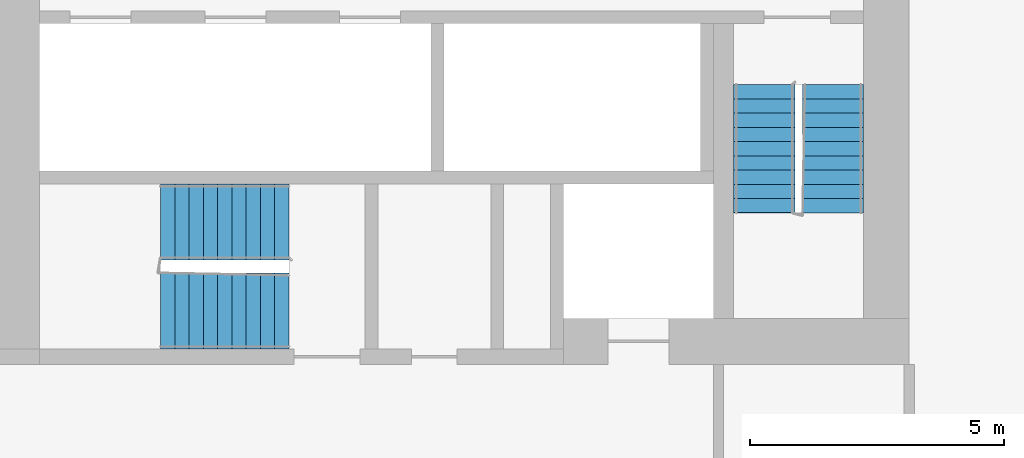
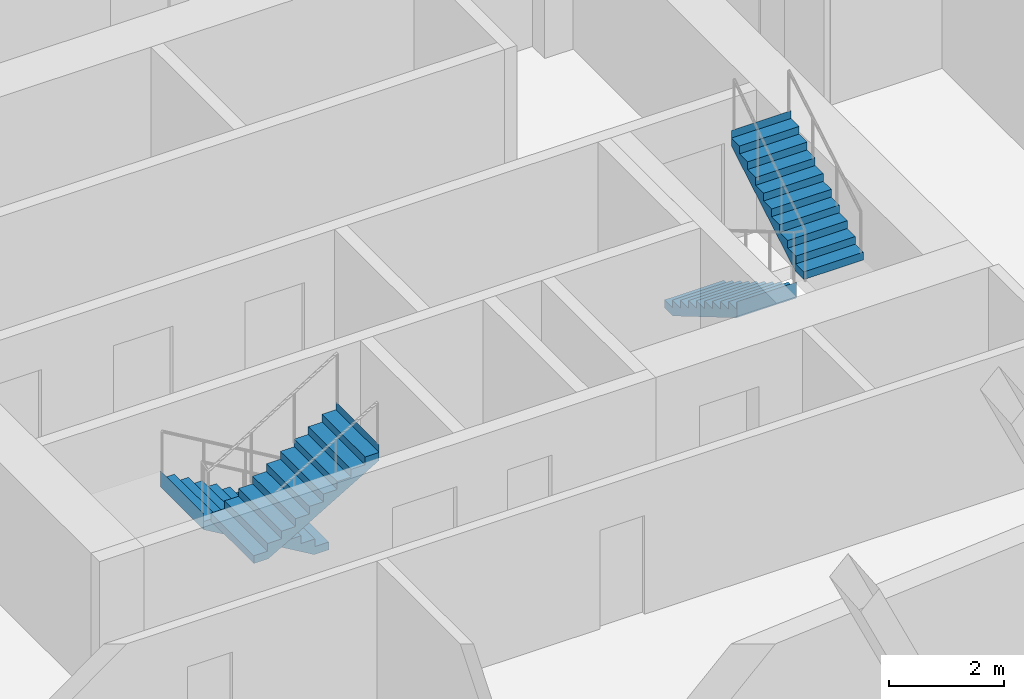
# One storey, part 9 of 13: 4 stair flights, 2 elements without a shape of their own.
"""IFC4 building model written with IfcOpenShell, lengths in metres."""

import ifcopenshell
import ifcopenshell.guid

model = None  # the IFC model being written
_history = None  # IfcOwnerHistory: only IFC2X3 demands one
_inside = {}  # id of a spatial element -> (the spatial element, [elements in it])
_under = {}  # id of a project, library or spatial element -> (it, [spatial elements below it])
_declared = {}  # id of a project -> (the project, [libraries it declares])
_typed = {}  # id of a type object -> (the type object, [elements of that type])
_made_of = {}  # id of a material, layer set ... -> (it, [elements and type objects made of it])


def new_model(schema):
    """Start an empty IFC model of exactly this schema.

    Asked for "IFC4X3", IfcOpenShell would pick the latest addendum, in which some entities
    have other attributes; the version numbers below select the first issue.
    IFC2X3 requires an IfcOwnerHistory on every rooted entity: one is made here for all.
    """
    global model, _history
    if schema == "IFC4X3":
        model = ifcopenshell.file(schema_version=(4, 3, 0, 0))
    else:
        model = ifcopenshell.file(schema=schema)
    _inside.clear()
    _under.clear()
    _declared.clear()
    _typed.clear()
    _made_of.clear()
    _history = None
    if model.schema == "IFC2X3":
        org = make("IfcOrganization", Name="unknown")
        user = make(
            "IfcPersonAndOrganization",
            ThePerson=make("IfcPerson", FamilyName="unknown"),
            TheOrganization=org,
        )
        app = make(
            "IfcApplication",
            ApplicationDeveloper=org,
            Version="unknown",
            ApplicationFullName="unknown",
            ApplicationIdentifier="unknown",
        )
        _history = make(
            "IfcOwnerHistory",
            OwningUser=user,
            OwningApplication=app,
            ChangeAction="ADDED",
            CreationDate=0,
        )
    return model


def make(cls, **values):
    """One entity of the class cls with the attributes given. An attribute that is None is left unset."""
    return model.create_entity(
        cls, **{name: value for name, value in values.items() if value is not None}
    )


def rooted(cls, **values):
    """An entity with a GlobalId (a new one), such as an element, a storey or a relation."""
    return make(cls, GlobalId=ifcopenshell.guid.new(), OwnerHistory=_history, **values)


def si_unit(unit_type, name, prefix=None):
    """IfcSIUnit, for example si_unit("LENGTHUNIT", "METRE", prefix="MILLI")."""
    return make("IfcSIUnit", UnitType=unit_type, Prefix=prefix, Name=name)


def assignment(units):
    """IfcUnitAssignment: the units of a project."""
    return None if units is None else make("IfcUnitAssignment", Units=units)


def point(xyz):
    """IfcCartesianPoint."""
    return None if xyz is None else make("IfcCartesianPoint", Coordinates=xyz)


def direction(xyz):
    """IfcDirection."""
    return None if xyz is None else make("IfcDirection", DirectionRatios=xyz)


def frame(location, z_axis=None, x_axis=None):
    """IfcAxis2Placement3D, a coordinate frame: its origin and axes. An axis left out is left unset."""
    return make(
        "IfcAxis2Placement3D",
        Location=point(location),
        Axis=direction(z_axis),
        RefDirection=direction(x_axis),
    )


def origin():
    """The frame at (0, 0, 0) with its axes left unset."""
    return frame((0.0, 0.0, 0.0))


def place(relative_to, where):
    """IfcLocalPlacement: puts the frame where relative to a parent placement (None: the world)."""
    return make(
        "IfcLocalPlacement", PlacementRelTo=relative_to, RelativePlacement=where
    )


def context(
    kind, dimensions, precision=None, world=None, true_north=None, identifier=None
):
    """IfcGeometricRepresentationContext, for example the 3D "Model" context."""
    return make(
        "IfcGeometricRepresentationContext",
        ContextIdentifier=identifier,
        ContextType=kind,
        CoordinateSpaceDimension=dimensions,
        Precision=precision,
        WorldCoordinateSystem=world,
        TrueNorth=true_north,
    )


def subcontext(parent, identifier, kind, view, scale=None):
    """IfcGeometricRepresentationSubContext, for example "Body" below "Model"."""
    return make(
        "IfcGeometricRepresentationSubContext",
        ContextIdentifier=identifier,
        ContextType=kind,
        ParentContext=parent,
        TargetScale=scale,
        TargetView=view,
    )


def project(units=None, contexts=None):
    """IfcProject with its units and contexts."""
    return rooted(
        "IfcProject",
        Name="project",
        RepresentationContexts=contexts,
        UnitsInContext=assignment(units),
    )


def spatial(cls, under=None, at=None, **own):
    """A site, building, storey or space (cls), placed at a placement, below another one or the project."""
    s = rooted(cls, ObjectPlacement=at, **own)
    if under is not None:
        _under.setdefault(under.id(), (under, []))[1].append(s)
    return s


def faces_of(points, faces, orient=None, outer=None):
    """IfcFace entities. A face is a list of loops; a loop is a list of indices into points, from 0.

    orient and outer hold one flag for each loop. By default every Orientation is true, the
    first loop of a face is its IfcFaceOuterBound and the others are IfcFaceBound.
    """
    made = []
    for i, loops in enumerate(faces):
        bounds = []
        for j, loop in enumerate(loops):
            is_outer = j == 0 if outer is None else outer[i][j]
            bounds.append(
                make(
                    "IfcFaceOuterBound" if is_outer else "IfcFaceBound",
                    Bound=make("IfcPolyLoop", Polygon=[points[k] for k in loop]),
                    Orientation=True if orient is None else orient[i][j],
                )
            )
        made.append(make("IfcFace", Bounds=bounds))
    return made


def faceted_brep(points, faces, orient=None, outer=None, voids=None):
    """IfcFacetedBrep: a solid bounded by flat faces; with voids (closed shells), ...WithVoids."""
    shared = [point(p) for p in points]
    hull = make("IfcClosedShell", CfsFaces=faces_of(shared, faces, orient, outer))
    if voids is None:
        return make("IfcFacetedBrep", Outer=hull)
    return make(
        "IfcFacetedBrepWithVoids",
        Outer=hull,
        Voids=[
            make(cls, CfsFaces=faces_of(shared, fs, o, b)) for cls, fs, o, b in voids
        ],
    )


def shape(context_of_items, identifier, shape_type, items):
    """IfcShapeRepresentation: the items that make up one representation, for example the "Body"."""
    return make(
        "IfcShapeRepresentation",
        ContextOfItems=context_of_items,
        RepresentationIdentifier=identifier,
        RepresentationType=shape_type,
        Items=items,
    )


def material(Name=None, Category=None):
    """IfcMaterial."""
    return make("IfcMaterial", Name=Name, Category=Category)


def made_of(thing, what):
    """Note that an element or type object is made of a material, layer set ...; save() writes the relation."""
    if what is not None:
        _made_of.setdefault(what.id(), (what, []))[1].append(thing)
    return thing


def type_object(cls, material=None, **own):
    """A type object (cls), such as IfcWallType, which elements share."""
    return made_of(rooted(cls, **own), material)


def element(
    cls,
    number,
    at=None,
    inside=None,
    cuts=None,
    type_object=None,
    material=None,
    context=None,
    identifier="Body",
    shape_type=None,
    held_by="IfcProductDefinitionShape",
    body=None,
    shapes=None,
    **own,
):
    """One element of the class cls, such as IfcWall. Its Tag is "e" and its number.

    at: its placement. inside: the storey or other place that contains it. cuts: it is an
    opening in that element (IfcRelVoidsElement). A single representation is given by context,
    identifier, shape_type and body (its items); several are given by shapes. held_by: the class
    of the entity that holds the representations. save() writes the other relations.
    """
    e = rooted(cls, Tag="e%d" % number, ObjectPlacement=at, **own)
    if body is not None:
        shapes = [shape(context, identifier, shape_type, body)]
    if shapes is not None:
        e.Representation = make(held_by, Representations=shapes)
    if inside is not None:
        _inside.setdefault(inside.id(), (inside, []))[1].append(e)
    if cuts is not None:
        rooted(
            "IfcRelVoidsElement", RelatingBuildingElement=cuts, RelatedOpeningElement=e
        )
    if type_object is not None:
        _typed.setdefault(type_object.id(), (type_object, []))[1].append(e)
    return made_of(e, material)


def aggregate(whole, parts):
    """IfcRelAggregates: a whole, such as a stair, and the parts it consists of."""
    return rooted("IfcRelAggregates", RelatingObject=whole, RelatedObjects=parts)


def save(model, path):
    """Write the relations noted so far, then the file.

    IfcRelAggregates (storeys below a building ...), IfcRelContainedInSpatialStructure (elements
    in a storey), IfcRelDefinesByType, IfcRelAssociatesMaterial and IfcRelDeclares: one each for
    every whole, place, type object, material and project.
    """
    for whole, parts in _under.values():
        aggregate(whole, parts)
    for where, things in _inside.values():
        rooted(
            "IfcRelContainedInSpatialStructure",
            RelatedElements=things,
            RelatingStructure=where,
        )
    for kind, things in _typed.values():
        rooted("IfcRelDefinesByType", RelatedObjects=things, RelatingType=kind)
    for what, things in _made_of.values():
        rooted("IfcRelAssociatesMaterial", RelatedObjects=things, RelatingMaterial=what)
    for by, libraries in _declared.values():
        rooted("IfcRelDeclares", RelatingContext=by, RelatedDefinitions=libraries)
    model.write(path)


model = new_model("IFC4")

# Units and contexts
model_context = context("Model", 3, precision=1e-05, world=origin(), true_north=direction((0.0, 1.0)))
body_context = subcontext(model_context, "Body", "Model", "MODEL_VIEW")
ifc_project = project(units=[si_unit("LENGTHUNIT", "METRE"), si_unit("AREAUNIT", "SQUARE_METRE"), si_unit("VOLUMEUNIT", "CUBIC_METRE"), si_unit("PLANEANGLEUNIT", "RADIAN"), si_unit("MASSUNIT", "GRAM", prefix="KILO")], contexts=[model_context])

# Site, building, storey
site_placement = place(None, origin())
site = spatial("IfcSite", under=ifc_project, at=site_placement, CompositionType="ELEMENT")
building_placement = place(site_placement, origin())
building = spatial("IfcBuilding", under=site, at=building_placement, Name="Kajstack Hotel Tower", CompositionType="ELEMENT")
storey_placement = place(building_placement, frame((0.0, 0.0, 110.800048828125)))
storey = spatial("IfcBuildingStorey", under=building, at=storey_placement, Name="L23", CompositionType="ELEMENT", Elevation=110.800048828125)

# Stair, stair flights
ifc_material = material(Name="Concrete C40/50", Category="concrete")
stair_type_1 = type_object("IfcStairType", Name="Exit stair 1200", PredefinedType="HALF_TURN_STAIR", material=ifc_material)
stair_1_placement = place(storey_placement, origin())
stair_1 = element("IfcStair", 1, at=stair_1_placement, inside=storey, type_object=stair_type_1, Name="L23 stair W2", PredefinedType="HALF_TURN_STAIR")
stair_flight_type_1 = type_object("IfcStairFlightType", Name="Exit stair flight 1200", PredefinedType="STRAIGHT", material=ifc_material)
stair_flight_1_placement = place(storey_placement, frame((-16.35009765625, -10.0, 0.0), z_axis=(0.0, 0.0, 1.0), x_axis=(0.0, -1.0, 0.0)))
stair_flight_1 = element("IfcStairFlight", 2, at=stair_flight_1_placement, type_object=stair_flight_type_1, Name="W2 flight 1", NumberOfRisers=10, NumberOfTreads=9, PredefinedType="STRAIGHT", RiserHeight=0.165, TreadLength=0.28, context=body_context, shape_type="Brep", body=[
    faceted_brep([(0.295654296875, -0.60009765625, 0.0), (2.5205078125, -0.60009765625, 1.31103515625), (2.5205078125, -0.60009765625, 1.64990234375), (2.52001953125, -0.60009765625, 1.64990234375), (2.52001953125, -0.60009765625, 1.485107421875), (2.239990234375, -0.60009765625, 1.485107421875), (2.239990234375, -0.60009765625, 1.320068359375), (1.9599609375, -0.60009765625, 1.320068359375), (1.9599609375, -0.60009765625, 1.155029296875), (1.679931640625, -0.60009765625, 1.155029296875), (1.679931640625, -0.60009765625, 0.989990234375), (1.39990234375, -0.60009765625, 0.989990234375), (1.39990234375, -0.60009765625, 0.824951171875), (1.1201171875, -0.60009765625, 0.824951171875), (1.1201171875, -0.60009765625, 0.659912109375), (0.840087890625, -0.60009765625, 0.659912109375), (0.840087890625, -0.60009765625, 0.4951171875), (0.56005859375, -0.60009765625, 0.4951171875), (0.56005859375, -0.60009765625, 0.330078125), (0.280029296875, -0.60009765625, 0.330078125), (0.280029296875, -0.60009765625, 0.1650390625), (-0.00048828125, -0.60009765625, 0.1650390625), (-0.00048828125, -0.60009765625, 0.0), (-0.00048828125, 0.60009765625, 0.0), (-0.00048828125, 0.60009765625, 0.1650390625), (0.280029296875, 0.60009765625, 0.1650390625), (0.280029296875, 0.60009765625, 0.330078125), (0.56005859375, 0.60009765625, 0.330078125), (0.56005859375, 0.60009765625, 0.4951171875), (0.840087890625, 0.60009765625, 0.4951171875), (0.840087890625, 0.60009765625, 0.659912109375), (1.1201171875, 0.60009765625, 0.659912109375), (1.1201171875, 0.60009765625, 0.824951171875), (1.39990234375, 0.60009765625, 0.824951171875), (1.39990234375, 0.60009765625, 0.989990234375), (1.679931640625, 0.60009765625, 0.989990234375), (1.679931640625, 0.60009765625, 1.155029296875), (1.9599609375, 0.60009765625, 1.155029296875), (1.9599609375, 0.60009765625, 1.320068359375), (2.239990234375, 0.60009765625, 1.320068359375), (2.239990234375, 0.60009765625, 1.485107421875), (2.52001953125, 0.60009765625, 1.485107421875), (2.52001953125, 0.60009765625, 1.64990234375), (2.5205078125, 0.60009765625, 1.64990234375), (2.5205078125, 0.60009765625, 1.31103515625), (0.295654296875, 0.60009765625, 0.0), (-0.00048828125, -0.300048828125, 0.1650390625), (-0.00048828125, 0.0, 0.1650390625), (-0.00048828125, 0.300048828125, 0.1650390625), (-0.00048828125, 0.300048828125, 0.0), (-0.00048828125, 0.0, 0.0), (-0.00048828125, -0.300048828125, 0.0), (0.280029296875, -0.300048828125, 0.1650390625), (0.280029296875, 0.0, 0.1650390625), (0.280029296875, 0.300048828125, 0.1650390625), (0.280029296875, -0.300048828125, 0.330078125), (0.280029296875, 0.0, 0.330078125), (0.280029296875, 0.300048828125, 0.330078125), (0.56005859375, -0.300048828125, 0.330078125), (0.56005859375, 0.0, 0.330078125), (0.56005859375, 0.300048828125, 0.330078125), (0.56005859375, -0.300048828125, 0.4951171875), (0.56005859375, 0.0, 0.4951171875), (0.56005859375, 0.300048828125, 0.4951171875), (0.840087890625, -0.300048828125, 0.4951171875), (0.840087890625, 0.0, 0.4951171875), (0.840087890625, 0.300048828125, 0.4951171875), (0.840087890625, -0.300048828125, 0.659912109375), (0.840087890625, 0.0, 0.659912109375), (0.840087890625, 0.300048828125, 0.659912109375), (1.1201171875, -0.300048828125, 0.659912109375), (1.1201171875, 0.0, 0.659912109375), (1.1201171875, 0.300048828125, 0.659912109375), (1.1201171875, -0.300048828125, 0.824951171875), (1.1201171875, 0.0, 0.824951171875), (1.1201171875, 0.300048828125, 0.824951171875), (1.39990234375, -0.300048828125, 0.824951171875), (1.39990234375, 0.0, 0.824951171875), (1.39990234375, 0.300048828125, 0.824951171875), (1.39990234375, -0.300048828125, 0.989990234375), (1.39990234375, 0.0, 0.989990234375), (1.39990234375, 0.300048828125, 0.989990234375), (1.679931640625, -0.300048828125, 0.989990234375), (1.679931640625, 0.0, 0.989990234375), (1.679931640625, 0.300048828125, 0.989990234375), (1.679931640625, -0.300048828125, 1.155029296875), (1.679931640625, 0.0, 1.155029296875), (1.679931640625, 0.300048828125, 1.155029296875), (1.9599609375, -0.300048828125, 1.155029296875), (1.9599609375, 0.0, 1.155029296875), (1.9599609375, 0.300048828125, 1.155029296875), (1.9599609375, -0.300048828125, 1.320068359375), (1.9599609375, 0.0, 1.320068359375), (1.9599609375, 0.300048828125, 1.320068359375), (2.239990234375, -0.300048828125, 1.320068359375), (2.239990234375, 0.0, 1.320068359375), (2.239990234375, 0.300048828125, 1.320068359375), (2.239990234375, -0.300048828125, 1.485107421875), (2.239990234375, 0.0, 1.485107421875), (2.239990234375, 0.300048828125, 1.485107421875), (2.52001953125, -0.300048828125, 1.485107421875), (2.52001953125, 0.0, 1.485107421875), (2.52001953125, 0.300048828125, 1.485107421875), (2.52001953125, -0.300048828125, 1.64990234375), (2.52001953125, 0.0, 1.64990234375), (2.52001953125, 0.300048828125, 1.64990234375), (2.5205078125, -0.300048828125, 1.64990234375), (2.5205078125, 0.0, 1.64990234375), (2.5205078125, 0.300048828125, 1.64990234375), (2.5205078125, -0.300048828125, 1.31103515625), (2.5205078125, 0.0, 1.31103515625), (2.5205078125, 0.300048828125, 1.31103515625), (0.295654296875, -0.300048828125, 0.0), (0.295654296875, 0.0, 0.0), (0.295654296875, 0.300048828125, 0.0)], [[[0, 1, 2, 3, 4, 5, 6, 7, 8, 9, 10, 11, 12, 13, 14, 15, 16, 17, 18, 19, 20, 21, 22]], [[23, 24, 25, 26, 27, 28, 29, 30, 31, 32, 33, 34, 35, 36, 37, 38, 39, 40, 41, 42, 43, 44, 45]], [[21, 46, 47, 48, 24, 23, 49, 50, 51, 22]], [[20, 52, 53, 54, 25, 24, 48, 47, 46, 21]], [[19, 55, 56, 57, 26, 25, 54, 53, 52, 20]], [[18, 58, 59, 60, 27, 26, 57, 56, 55, 19]], [[17, 61, 62, 63, 28, 27, 60, 59, 58, 18]], [[16, 64, 65, 66, 29, 28, 63, 62, 61, 17]], [[15, 67, 68, 69, 30, 29, 66, 65, 64, 16]], [[14, 70, 71, 72, 31, 30, 69, 68, 67, 15]], [[13, 73, 74, 75, 32, 31, 72, 71, 70, 14]], [[12, 76, 77, 78, 33, 32, 75, 74, 73, 13]], [[11, 79, 80, 81, 34, 33, 78, 77, 76, 12]], [[10, 82, 83, 84, 35, 34, 81, 80, 79, 11]], [[9, 85, 86, 87, 36, 35, 84, 83, 82, 10]], [[8, 88, 89, 90, 37, 36, 87, 86, 85, 9]], [[7, 91, 92, 93, 38, 37, 90, 89, 88, 8]], [[6, 94, 95, 96, 39, 38, 93, 92, 91, 7]], [[5, 97, 98, 99, 40, 39, 96, 95, 94, 6]], [[4, 100, 101, 102, 41, 40, 99, 98, 97, 5]], [[3, 103, 104, 105, 42, 41, 102, 101, 100, 4]], [[2, 106, 107, 108, 43, 42, 105, 104, 103, 3]], [[1, 109, 110, 111, 44, 43, 108, 107, 106, 2]], [[0, 112, 113, 114, 45, 44, 111, 110, 109, 1]], [[22, 51, 50, 49, 23, 45, 114, 113, 112, 0]]]),
])
stair_flight_2_placement = place(storey_placement, frame((-15.0, -12.52001953125, 1.64990234375), z_axis=(0.0, 0.0, 1.0), x_axis=(0.0, 1.0, 0.0)))
stair_flight_2 = element("IfcStairFlight", 3, at=stair_flight_2_placement, type_object=stair_flight_type_1, Name="W2 flight 2", NumberOfRisers=10, NumberOfTreads=9, PredefinedType="STRAIGHT", RiserHeight=0.165, TreadLength=0.28, context=body_context, shape_type="Brep", body=[
    faceted_brep([(0.295654296875, -0.60009765625, 0.0), (2.5205078125, -0.60009765625, 1.31103515625), (2.5205078125, -0.60009765625, 1.64990234375), (2.52001953125, -0.60009765625, 1.64990234375), (2.52001953125, -0.60009765625, 1.485107421875), (2.239990234375, -0.60009765625, 1.485107421875), (2.239990234375, -0.60009765625, 1.320068359375), (1.9599609375, -0.60009765625, 1.320068359375), (1.9599609375, -0.60009765625, 1.155029296875), (1.679931640625, -0.60009765625, 1.155029296875), (1.679931640625, -0.60009765625, 0.989990234375), (1.39990234375, -0.60009765625, 0.989990234375), (1.39990234375, -0.60009765625, 0.824951171875), (1.1201171875, -0.60009765625, 0.824951171875), (1.1201171875, -0.60009765625, 0.659912109375), (0.840087890625, -0.60009765625, 0.659912109375), (0.840087890625, -0.60009765625, 0.4951171875), (0.56005859375, -0.60009765625, 0.4951171875), (0.56005859375, -0.60009765625, 0.330078125), (0.280029296875, -0.60009765625, 0.330078125), (0.280029296875, -0.60009765625, 0.1650390625), (-0.00048828125, -0.60009765625, 0.1650390625), (-0.00048828125, -0.60009765625, 0.0), (-0.00048828125, 0.60009765625, 0.0), (-0.00048828125, 0.60009765625, 0.1650390625), (0.280029296875, 0.60009765625, 0.1650390625), (0.280029296875, 0.60009765625, 0.330078125), (0.56005859375, 0.60009765625, 0.330078125), (0.56005859375, 0.60009765625, 0.4951171875), (0.840087890625, 0.60009765625, 0.4951171875), (0.840087890625, 0.60009765625, 0.659912109375), (1.1201171875, 0.60009765625, 0.659912109375), (1.1201171875, 0.60009765625, 0.824951171875), (1.39990234375, 0.60009765625, 0.824951171875), (1.39990234375, 0.60009765625, 0.989990234375), (1.679931640625, 0.60009765625, 0.989990234375), (1.679931640625, 0.60009765625, 1.155029296875), (1.9599609375, 0.60009765625, 1.155029296875), (1.9599609375, 0.60009765625, 1.320068359375), (2.239990234375, 0.60009765625, 1.320068359375), (2.239990234375, 0.60009765625, 1.485107421875), (2.52001953125, 0.60009765625, 1.485107421875), (2.52001953125, 0.60009765625, 1.64990234375), (2.5205078125, 0.60009765625, 1.64990234375), (2.5205078125, 0.60009765625, 1.31103515625), (0.295654296875, 0.60009765625, 0.0), (-0.00048828125, -0.300048828125, 0.1650390625), (-0.00048828125, 0.0, 0.1650390625), (-0.00048828125, 0.300048828125, 0.1650390625), (-0.00048828125, 0.300048828125, 0.0), (-0.00048828125, 0.0, 0.0), (-0.00048828125, -0.300048828125, 0.0), (0.280029296875, -0.300048828125, 0.1650390625), (0.280029296875, 0.0, 0.1650390625), (0.280029296875, 0.300048828125, 0.1650390625), (0.280029296875, -0.300048828125, 0.330078125), (0.280029296875, 0.0, 0.330078125), (0.280029296875, 0.300048828125, 0.330078125), (0.56005859375, -0.300048828125, 0.330078125), (0.56005859375, 0.0, 0.330078125), (0.56005859375, 0.300048828125, 0.330078125), (0.56005859375, -0.300048828125, 0.4951171875), (0.56005859375, 0.0, 0.4951171875), (0.56005859375, 0.300048828125, 0.4951171875), (0.840087890625, -0.300048828125, 0.4951171875), (0.840087890625, 0.0, 0.4951171875), (0.840087890625, 0.300048828125, 0.4951171875), (0.840087890625, -0.300048828125, 0.659912109375), (0.840087890625, 0.0, 0.659912109375), (0.840087890625, 0.300048828125, 0.659912109375), (1.1201171875, -0.300048828125, 0.659912109375), (1.1201171875, 0.0, 0.659912109375), (1.1201171875, 0.300048828125, 0.659912109375), (1.1201171875, -0.300048828125, 0.824951171875), (1.1201171875, 0.0, 0.824951171875), (1.1201171875, 0.300048828125, 0.824951171875), (1.39990234375, -0.300048828125, 0.824951171875), (1.39990234375, 0.0, 0.824951171875), (1.39990234375, 0.300048828125, 0.824951171875), (1.39990234375, -0.300048828125, 0.989990234375), (1.39990234375, 0.0, 0.989990234375), (1.39990234375, 0.300048828125, 0.989990234375), (1.679931640625, -0.300048828125, 0.989990234375), (1.679931640625, 0.0, 0.989990234375), (1.679931640625, 0.300048828125, 0.989990234375), (1.679931640625, -0.300048828125, 1.155029296875), (1.679931640625, 0.0, 1.155029296875), (1.679931640625, 0.300048828125, 1.155029296875), (1.9599609375, -0.300048828125, 1.155029296875), (1.9599609375, 0.0, 1.155029296875), (1.9599609375, 0.300048828125, 1.155029296875), (1.9599609375, -0.300048828125, 1.320068359375), (1.9599609375, 0.0, 1.320068359375), (1.9599609375, 0.300048828125, 1.320068359375), (2.239990234375, -0.300048828125, 1.320068359375), (2.239990234375, 0.0, 1.320068359375), (2.239990234375, 0.300048828125, 1.320068359375), (2.239990234375, -0.300048828125, 1.485107421875), (2.239990234375, 0.0, 1.485107421875), (2.239990234375, 0.300048828125, 1.485107421875), (2.52001953125, -0.300048828125, 1.485107421875), (2.52001953125, 0.0, 1.485107421875), (2.52001953125, 0.300048828125, 1.485107421875), (2.52001953125, -0.300048828125, 1.64990234375), (2.52001953125, 0.0, 1.64990234375), (2.52001953125, 0.300048828125, 1.64990234375), (2.5205078125, -0.300048828125, 1.64990234375), (2.5205078125, 0.0, 1.64990234375), (2.5205078125, 0.300048828125, 1.64990234375), (2.5205078125, -0.300048828125, 1.31103515625), (2.5205078125, 0.0, 1.31103515625), (2.5205078125, 0.300048828125, 1.31103515625), (0.295654296875, -0.300048828125, 0.0), (0.295654296875, 0.0, 0.0), (0.295654296875, 0.300048828125, 0.0)], [[[0, 1, 2, 3, 4, 5, 6, 7, 8, 9, 10, 11, 12, 13, 14, 15, 16, 17, 18, 19, 20, 21, 22]], [[23, 24, 25, 26, 27, 28, 29, 30, 31, 32, 33, 34, 35, 36, 37, 38, 39, 40, 41, 42, 43, 44, 45]], [[21, 46, 47, 48, 24, 23, 49, 50, 51, 22]], [[20, 52, 53, 54, 25, 24, 48, 47, 46, 21]], [[19, 55, 56, 57, 26, 25, 54, 53, 52, 20]], [[18, 58, 59, 60, 27, 26, 57, 56, 55, 19]], [[17, 61, 62, 63, 28, 27, 60, 59, 58, 18]], [[16, 64, 65, 66, 29, 28, 63, 62, 61, 17]], [[15, 67, 68, 69, 30, 29, 66, 65, 64, 16]], [[14, 70, 71, 72, 31, 30, 69, 68, 67, 15]], [[13, 73, 74, 75, 32, 31, 72, 71, 70, 14]], [[12, 76, 77, 78, 33, 32, 75, 74, 73, 13]], [[11, 79, 80, 81, 34, 33, 78, 77, 76, 12]], [[10, 82, 83, 84, 35, 34, 81, 80, 79, 11]], [[9, 85, 86, 87, 36, 35, 84, 83, 82, 10]], [[8, 88, 89, 90, 37, 36, 87, 86, 85, 9]], [[7, 91, 92, 93, 38, 37, 90, 89, 88, 8]], [[6, 94, 95, 96, 39, 38, 93, 92, 91, 7]], [[5, 97, 98, 99, 40, 39, 96, 95, 94, 6]], [[4, 100, 101, 102, 41, 40, 99, 98, 97, 5]], [[3, 103, 104, 105, 42, 41, 102, 101, 100, 4]], [[2, 106, 107, 108, 43, 42, 105, 104, 103, 3]], [[1, 109, 110, 111, 44, 43, 108, 107, 106, 2]], [[0, 112, 113, 114, 45, 44, 111, 110, 109, 1]], [[22, 51, 50, 49, 23, 45, 114, 113, 112, 0]]]),
])
aggregate(stair_1, [stair_flight_1, stair_flight_2])

stair_type_2 = type_object("IfcStairType", Name="Exit stair 1500", PredefinedType="HALF_TURN_STAIR", material=ifc_material)
stair_2_placement = place(storey_placement, origin())
stair_2 = element("IfcStair", 4, at=stair_2_placement, inside=storey, type_object=stair_type_2, Name="L23 stair W3", PredefinedType="HALF_TURN_STAIR")
stair_flight_type_2 = type_object("IfcStairFlightType", Name="Exit stair flight 1500", PredefinedType="STRAIGHT", material=ifc_material)
stair_flight_3_placement = place(storey_placement, frame((-25.699951171875, -12.699951171875, 0.0), z_axis=(0.0, 0.0, 1.0), x_axis=(-1.0, 0.0, 0.0)))
stair_flight_3 = element("IfcStairFlight", 5, at=stair_flight_3_placement, type_object=stair_flight_type_2, Name="W3 flight 1", NumberOfRisers=10, NumberOfTreads=9, PredefinedType="STRAIGHT", RiserHeight=0.165, TreadLength=0.28, context=body_context, shape_type="Brep", body=[
    faceted_brep([(0.295654296875, -0.75, 0.0), (2.5205078125, -0.75, 1.31103515625), (2.5205078125, -0.75, 1.64990234375), (2.52001953125, -0.75, 1.64990234375), (2.52001953125, -0.75, 1.485107421875), (2.239990234375, -0.75, 1.485107421875), (2.239990234375, -0.75, 1.320068359375), (1.9599609375, -0.75, 1.320068359375), (1.9599609375, -0.75, 1.155029296875), (1.679931640625, -0.75, 1.155029296875), (1.679931640625, -0.75, 0.989990234375), (1.39990234375, -0.75, 0.989990234375), (1.39990234375, -0.75, 0.824951171875), (1.1201171875, -0.75, 0.824951171875), (1.1201171875, -0.75, 0.659912109375), (0.840087890625, -0.75, 0.659912109375), (0.840087890625, -0.75, 0.4951171875), (0.56005859375, -0.75, 0.4951171875), (0.56005859375, -0.75, 0.330078125), (0.280029296875, -0.75, 0.330078125), (0.280029296875, -0.75, 0.1650390625), (-0.00048828125, -0.75, 0.1650390625), (-0.00048828125, -0.75, 0.0), (-0.00048828125, 0.75, 0.0), (-0.00048828125, 0.75, 0.1650390625), (0.280029296875, 0.75, 0.1650390625), (0.280029296875, 0.75, 0.330078125), (0.56005859375, 0.75, 0.330078125), (0.56005859375, 0.75, 0.4951171875), (0.840087890625, 0.75, 0.4951171875), (0.840087890625, 0.75, 0.659912109375), (1.1201171875, 0.75, 0.659912109375), (1.1201171875, 0.75, 0.824951171875), (1.39990234375, 0.75, 0.824951171875), (1.39990234375, 0.75, 0.989990234375), (1.679931640625, 0.75, 0.989990234375), (1.679931640625, 0.75, 1.155029296875), (1.9599609375, 0.75, 1.155029296875), (1.9599609375, 0.75, 1.320068359375), (2.239990234375, 0.75, 1.320068359375), (2.239990234375, 0.75, 1.485107421875), (2.52001953125, 0.75, 1.485107421875), (2.52001953125, 0.75, 1.64990234375), (2.5205078125, 0.75, 1.64990234375), (2.5205078125, 0.75, 1.31103515625), (0.295654296875, 0.75, 0.0), (-0.00048828125, -0.375, 0.1650390625), (-0.00048828125, 0.0, 0.1650390625), (-0.00048828125, 0.375, 0.1650390625), (-0.00048828125, 0.375, 0.0), (-0.00048828125, 0.0, 0.0), (-0.00048828125, -0.375, 0.0), (0.280029296875, -0.375, 0.1650390625), (0.280029296875, 0.0, 0.1650390625), (0.280029296875, 0.375, 0.1650390625), (0.280029296875, -0.375, 0.330078125), (0.280029296875, 0.0, 0.330078125), (0.280029296875, 0.375, 0.330078125), (0.56005859375, -0.375, 0.330078125), (0.56005859375, 0.0, 0.330078125), (0.56005859375, 0.375, 0.330078125), (0.56005859375, -0.375, 0.4951171875), (0.56005859375, 0.0, 0.4951171875), (0.56005859375, 0.375, 0.4951171875), (0.840087890625, -0.375, 0.4951171875), (0.840087890625, 0.0, 0.4951171875), (0.840087890625, 0.375, 0.4951171875), (0.840087890625, -0.375, 0.659912109375), (0.840087890625, 0.0, 0.659912109375), (0.840087890625, 0.375, 0.659912109375), (1.1201171875, -0.375, 0.659912109375), (1.1201171875, 0.0, 0.659912109375), (1.1201171875, 0.375, 0.659912109375), (1.1201171875, -0.375, 0.824951171875), (1.1201171875, 0.0, 0.824951171875), (1.1201171875, 0.375, 0.824951171875), (1.39990234375, -0.375, 0.824951171875), (1.39990234375, 0.0, 0.824951171875), (1.39990234375, 0.375, 0.824951171875), (1.39990234375, -0.375, 0.989990234375), (1.39990234375, 0.0, 0.989990234375), (1.39990234375, 0.375, 0.989990234375), (1.679931640625, -0.375, 0.989990234375), (1.679931640625, 0.0, 0.989990234375), (1.679931640625, 0.375, 0.989990234375), (1.679931640625, -0.375, 1.155029296875), (1.679931640625, 0.0, 1.155029296875), (1.679931640625, 0.375, 1.155029296875), (1.9599609375, -0.375, 1.155029296875), (1.9599609375, 0.0, 1.155029296875), (1.9599609375, 0.375, 1.155029296875), (1.9599609375, -0.375, 1.320068359375), (1.9599609375, 0.0, 1.320068359375), (1.9599609375, 0.375, 1.320068359375), (2.239990234375, -0.375, 1.320068359375), (2.239990234375, 0.0, 1.320068359375), (2.239990234375, 0.375, 1.320068359375), (2.239990234375, -0.375, 1.485107421875), (2.239990234375, 0.0, 1.485107421875), (2.239990234375, 0.375, 1.485107421875), (2.52001953125, -0.375, 1.485107421875), (2.52001953125, 0.0, 1.485107421875), (2.52001953125, 0.375, 1.485107421875), (2.52001953125, -0.375, 1.64990234375), (2.52001953125, 0.0, 1.64990234375), (2.52001953125, 0.375, 1.64990234375), (2.5205078125, -0.375, 1.64990234375), (2.5205078125, 0.0, 1.64990234375), (2.5205078125, 0.375, 1.64990234375), (2.5205078125, -0.375, 1.31103515625), (2.5205078125, 0.0, 1.31103515625), (2.5205078125, 0.375, 1.31103515625), (0.295654296875, -0.375, 0.0), (0.295654296875, 0.0, 0.0), (0.295654296875, 0.375, 0.0)], [[[0, 1, 2, 3, 4, 5, 6, 7, 8, 9, 10, 11, 12, 13, 14, 15, 16, 17, 18, 19, 20, 21, 22]], [[23, 24, 25, 26, 27, 28, 29, 30, 31, 32, 33, 34, 35, 36, 37, 38, 39, 40, 41, 42, 43, 44, 45]], [[21, 46, 47, 48, 24, 23, 49, 50, 51, 22]], [[20, 52, 53, 54, 25, 24, 48, 47, 46, 21]], [[19, 55, 56, 57, 26, 25, 54, 53, 52, 20]], [[18, 58, 59, 60, 27, 26, 57, 56, 55, 19]], [[17, 61, 62, 63, 28, 27, 60, 59, 58, 18]], [[16, 64, 65, 66, 29, 28, 63, 62, 61, 17]], [[15, 67, 68, 69, 30, 29, 66, 65, 64, 16]], [[14, 70, 71, 72, 31, 30, 69, 68, 67, 15]], [[13, 73, 74, 75, 32, 31, 72, 71, 70, 14]], [[12, 76, 77, 78, 33, 32, 75, 74, 73, 13]], [[11, 79, 80, 81, 34, 33, 78, 77, 76, 12]], [[10, 82, 83, 84, 35, 34, 81, 80, 79, 11]], [[9, 85, 86, 87, 36, 35, 84, 83, 82, 10]], [[8, 88, 89, 90, 37, 36, 87, 86, 85, 9]], [[7, 91, 92, 93, 38, 37, 90, 89, 88, 8]], [[6, 94, 95, 96, 39, 38, 93, 92, 91, 7]], [[5, 97, 98, 99, 40, 39, 96, 95, 94, 6]], [[4, 100, 101, 102, 41, 40, 99, 98, 97, 5]], [[3, 103, 104, 105, 42, 41, 102, 101, 100, 4]], [[2, 106, 107, 108, 43, 42, 105, 104, 103, 3]], [[1, 109, 110, 111, 44, 43, 108, 107, 106, 2]], [[0, 112, 113, 114, 45, 44, 111, 110, 109, 1]], [[22, 51, 50, 49, 23, 45, 114, 113, 112, 0]]]),
])
stair_flight_4_placement = place(storey_placement, frame((-28.219970703125, -14.449951171875, 1.64990234375), z_axis=(0.0, 0.0, 1.0), x_axis=(1.0, 0.0, 0.0)))
stair_flight_4 = element("IfcStairFlight", 6, at=stair_flight_4_placement, type_object=stair_flight_type_2, Name="W3 flight 2", NumberOfRisers=10, NumberOfTreads=9, PredefinedType="STRAIGHT", RiserHeight=0.165, TreadLength=0.28, context=body_context, shape_type="Brep", body=[
    faceted_brep([(0.295654296875, -0.75, 0.0), (2.5205078125, -0.75, 1.31103515625), (2.5205078125, -0.75, 1.64990234375), (2.52001953125, -0.75, 1.64990234375), (2.52001953125, -0.75, 1.485107421875), (2.239990234375, -0.75, 1.485107421875), (2.239990234375, -0.75, 1.320068359375), (1.9599609375, -0.75, 1.320068359375), (1.9599609375, -0.75, 1.155029296875), (1.679931640625, -0.75, 1.155029296875), (1.679931640625, -0.75, 0.989990234375), (1.39990234375, -0.75, 0.989990234375), (1.39990234375, -0.75, 0.824951171875), (1.1201171875, -0.75, 0.824951171875), (1.1201171875, -0.75, 0.659912109375), (0.840087890625, -0.75, 0.659912109375), (0.840087890625, -0.75, 0.4951171875), (0.56005859375, -0.75, 0.4951171875), (0.56005859375, -0.75, 0.330078125), (0.280029296875, -0.75, 0.330078125), (0.280029296875, -0.75, 0.1650390625), (-0.00048828125, -0.75, 0.1650390625), (-0.00048828125, -0.75, 0.0), (-0.00048828125, 0.75, 0.0), (-0.00048828125, 0.75, 0.1650390625), (0.280029296875, 0.75, 0.1650390625), (0.280029296875, 0.75, 0.330078125), (0.56005859375, 0.75, 0.330078125), (0.56005859375, 0.75, 0.4951171875), (0.840087890625, 0.75, 0.4951171875), (0.840087890625, 0.75, 0.659912109375), (1.1201171875, 0.75, 0.659912109375), (1.1201171875, 0.75, 0.824951171875), (1.39990234375, 0.75, 0.824951171875), (1.39990234375, 0.75, 0.989990234375), (1.679931640625, 0.75, 0.989990234375), (1.679931640625, 0.75, 1.155029296875), (1.9599609375, 0.75, 1.155029296875), (1.9599609375, 0.75, 1.320068359375), (2.239990234375, 0.75, 1.320068359375), (2.239990234375, 0.75, 1.485107421875), (2.52001953125, 0.75, 1.485107421875), (2.52001953125, 0.75, 1.64990234375), (2.5205078125, 0.75, 1.64990234375), (2.5205078125, 0.75, 1.31103515625), (0.295654296875, 0.75, 0.0), (-0.00048828125, -0.375, 0.1650390625), (-0.00048828125, 0.0, 0.1650390625), (-0.00048828125, 0.375, 0.1650390625), (-0.00048828125, 0.375, 0.0), (-0.00048828125, 0.0, 0.0), (-0.00048828125, -0.375, 0.0), (0.280029296875, -0.375, 0.1650390625), (0.280029296875, 0.0, 0.1650390625), (0.280029296875, 0.375, 0.1650390625), (0.280029296875, -0.375, 0.330078125), (0.280029296875, 0.0, 0.330078125), (0.280029296875, 0.375, 0.330078125), (0.56005859375, -0.375, 0.330078125), (0.56005859375, 0.0, 0.330078125), (0.56005859375, 0.375, 0.330078125), (0.56005859375, -0.375, 0.4951171875), (0.56005859375, 0.0, 0.4951171875), (0.56005859375, 0.375, 0.4951171875), (0.840087890625, -0.375, 0.4951171875), (0.840087890625, 0.0, 0.4951171875), (0.840087890625, 0.375, 0.4951171875), (0.840087890625, -0.375, 0.659912109375), (0.840087890625, 0.0, 0.659912109375), (0.840087890625, 0.375, 0.659912109375), (1.1201171875, -0.375, 0.659912109375), (1.1201171875, 0.0, 0.659912109375), (1.1201171875, 0.375, 0.659912109375), (1.1201171875, -0.375, 0.824951171875), (1.1201171875, 0.0, 0.824951171875), (1.1201171875, 0.375, 0.824951171875), (1.39990234375, -0.375, 0.824951171875), (1.39990234375, 0.0, 0.824951171875), (1.39990234375, 0.375, 0.824951171875), (1.39990234375, -0.375, 0.989990234375), (1.39990234375, 0.0, 0.989990234375), (1.39990234375, 0.375, 0.989990234375), (1.679931640625, -0.375, 0.989990234375), (1.679931640625, 0.0, 0.989990234375), (1.679931640625, 0.375, 0.989990234375), (1.679931640625, -0.375, 1.155029296875), (1.679931640625, 0.0, 1.155029296875), (1.679931640625, 0.375, 1.155029296875), (1.9599609375, -0.375, 1.155029296875), (1.9599609375, 0.0, 1.155029296875), (1.9599609375, 0.375, 1.155029296875), (1.9599609375, -0.375, 1.320068359375), (1.9599609375, 0.0, 1.320068359375), (1.9599609375, 0.375, 1.320068359375), (2.239990234375, -0.375, 1.320068359375), (2.239990234375, 0.0, 1.320068359375), (2.239990234375, 0.375, 1.320068359375), (2.239990234375, -0.375, 1.485107421875), (2.239990234375, 0.0, 1.485107421875), (2.239990234375, 0.375, 1.485107421875), (2.52001953125, -0.375, 1.485107421875), (2.52001953125, 0.0, 1.485107421875), (2.52001953125, 0.375, 1.485107421875), (2.52001953125, -0.375, 1.64990234375), (2.52001953125, 0.0, 1.64990234375), (2.52001953125, 0.375, 1.64990234375), (2.5205078125, -0.375, 1.64990234375), (2.5205078125, 0.0, 1.64990234375), (2.5205078125, 0.375, 1.64990234375), (2.5205078125, -0.375, 1.31103515625), (2.5205078125, 0.0, 1.31103515625), (2.5205078125, 0.375, 1.31103515625), (0.295654296875, -0.375, 0.0), (0.295654296875, 0.0, 0.0), (0.295654296875, 0.375, 0.0)], [[[0, 1, 2, 3, 4, 5, 6, 7, 8, 9, 10, 11, 12, 13, 14, 15, 16, 17, 18, 19, 20, 21, 22]], [[23, 24, 25, 26, 27, 28, 29, 30, 31, 32, 33, 34, 35, 36, 37, 38, 39, 40, 41, 42, 43, 44, 45]], [[21, 46, 47, 48, 24, 23, 49, 50, 51, 22]], [[20, 52, 53, 54, 25, 24, 48, 47, 46, 21]], [[19, 55, 56, 57, 26, 25, 54, 53, 52, 20]], [[18, 58, 59, 60, 27, 26, 57, 56, 55, 19]], [[17, 61, 62, 63, 28, 27, 60, 59, 58, 18]], [[16, 64, 65, 66, 29, 28, 63, 62, 61, 17]], [[15, 67, 68, 69, 30, 29, 66, 65, 64, 16]], [[14, 70, 71, 72, 31, 30, 69, 68, 67, 15]], [[13, 73, 74, 75, 32, 31, 72, 71, 70, 14]], [[12, 76, 77, 78, 33, 32, 75, 74, 73, 13]], [[11, 79, 80, 81, 34, 33, 78, 77, 76, 12]], [[10, 82, 83, 84, 35, 34, 81, 80, 79, 11]], [[9, 85, 86, 87, 36, 35, 84, 83, 82, 10]], [[8, 88, 89, 90, 37, 36, 87, 86, 85, 9]], [[7, 91, 92, 93, 38, 37, 90, 89, 88, 8]], [[6, 94, 95, 96, 39, 38, 93, 92, 91, 7]], [[5, 97, 98, 99, 40, 39, 96, 95, 94, 6]], [[4, 100, 101, 102, 41, 40, 99, 98, 97, 5]], [[3, 103, 104, 105, 42, 41, 102, 101, 100, 4]], [[2, 106, 107, 108, 43, 42, 105, 104, 103, 3]], [[1, 109, 110, 111, 44, 43, 108, 107, 106, 2]], [[0, 112, 113, 114, 45, 44, 111, 110, 109, 1]], [[22, 51, 50, 49, 23, 45, 114, 113, 112, 0]]]),
])
aggregate(stair_2, [stair_flight_3, stair_flight_4])

save(model, "model.ifc")
